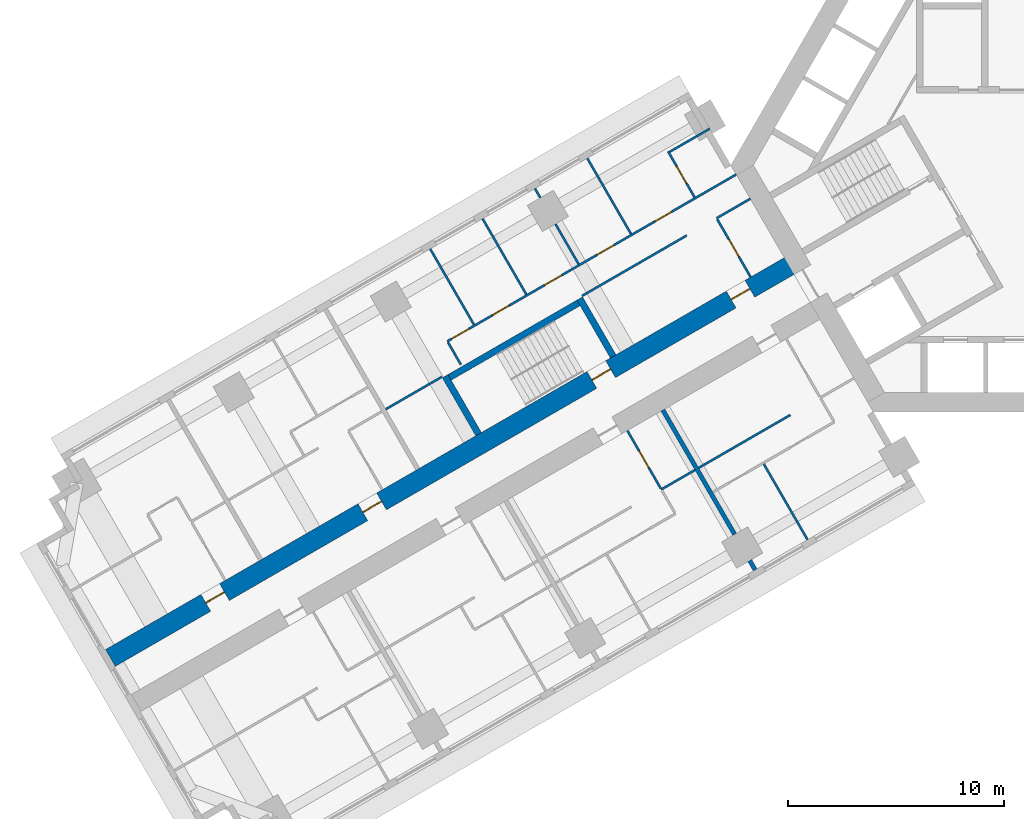
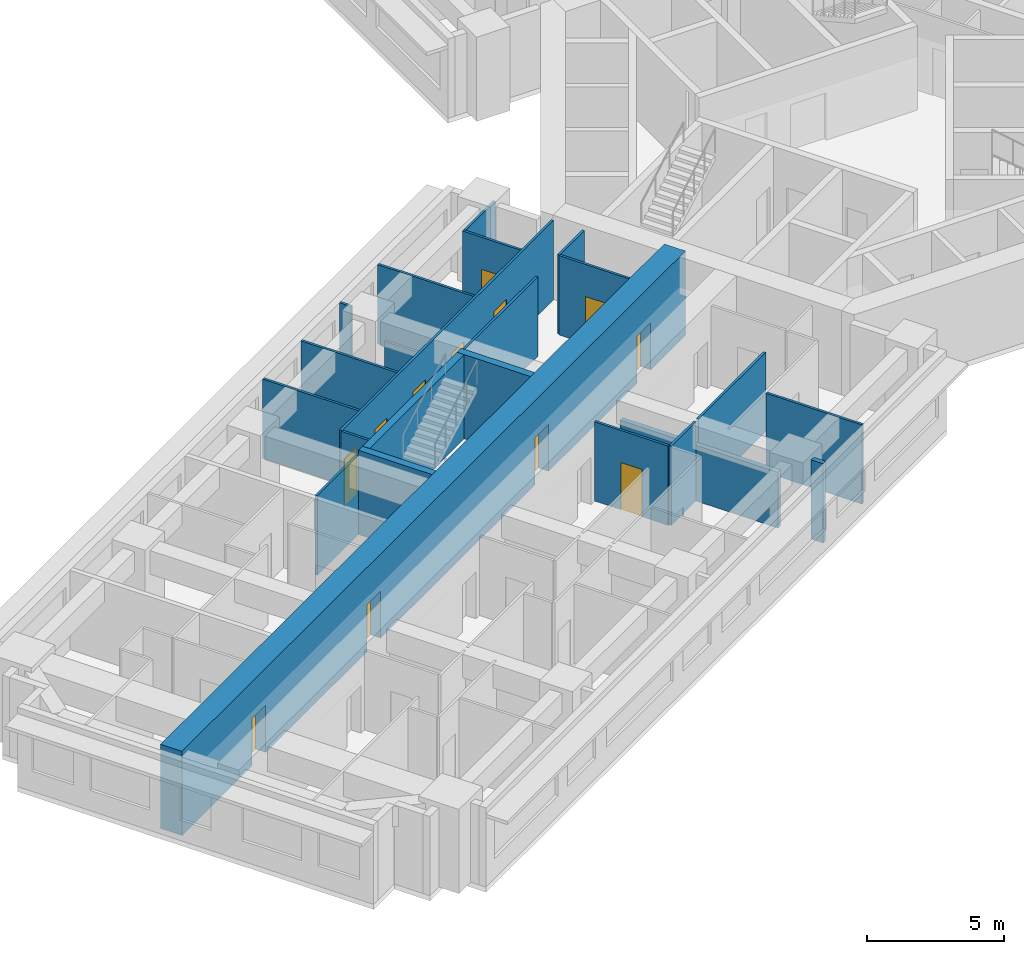
# One storey, part 5 of 15: 23 walls, 12 doors, 12 openings.
"""IFC4 building model written with IfcOpenShell, lengths in metres."""

import ifcopenshell
import ifcopenshell.guid

model = None  # the IFC model being written
_history = None  # IfcOwnerHistory: only IFC2X3 demands one
_inside = {}  # id of a spatial element -> (the spatial element, [elements in it])
_under = {}  # id of a project, library or spatial element -> (it, [spatial elements below it])
_declared = {}  # id of a project -> (the project, [libraries it declares])
_typed = {}  # id of a type object -> (the type object, [elements of that type])
_made_of = {}  # id of a material, layer set ... -> (it, [elements and type objects made of it])


def new_model(schema):
    """Start an empty IFC model of exactly this schema.

    Asked for "IFC4X3", IfcOpenShell would pick the latest addendum, in which some entities
    have other attributes; the version numbers below select the first issue.
    IFC2X3 requires an IfcOwnerHistory on every rooted entity: one is made here for all.
    """
    global model, _history
    if schema == "IFC4X3":
        model = ifcopenshell.file(schema_version=(4, 3, 0, 0))
    else:
        model = ifcopenshell.file(schema=schema)
    _inside.clear()
    _under.clear()
    _declared.clear()
    _typed.clear()
    _made_of.clear()
    _history = None
    if model.schema == "IFC2X3":
        org = make("IfcOrganization", Name="unknown")
        user = make(
            "IfcPersonAndOrganization",
            ThePerson=make("IfcPerson", FamilyName="unknown"),
            TheOrganization=org,
        )
        app = make(
            "IfcApplication",
            ApplicationDeveloper=org,
            Version="unknown",
            ApplicationFullName="unknown",
            ApplicationIdentifier="unknown",
        )
        _history = make(
            "IfcOwnerHistory",
            OwningUser=user,
            OwningApplication=app,
            ChangeAction="ADDED",
            CreationDate=0,
        )
    return model


def make(cls, **values):
    """One entity of the class cls with the attributes given. An attribute that is None is left unset."""
    return model.create_entity(
        cls, **{name: value for name, value in values.items() if value is not None}
    )


def rooted(cls, **values):
    """An entity with a GlobalId (a new one), such as an element, a storey or a relation."""
    return make(cls, GlobalId=ifcopenshell.guid.new(), OwnerHistory=_history, **values)


def si_unit(unit_type, name, prefix=None):
    """IfcSIUnit, for example si_unit("LENGTHUNIT", "METRE", prefix="MILLI")."""
    return make("IfcSIUnit", UnitType=unit_type, Prefix=prefix, Name=name)


def assignment(units):
    """IfcUnitAssignment: the units of a project."""
    return None if units is None else make("IfcUnitAssignment", Units=units)


def point(xyz):
    """IfcCartesianPoint."""
    return None if xyz is None else make("IfcCartesianPoint", Coordinates=xyz)


def direction(xyz):
    """IfcDirection."""
    return None if xyz is None else make("IfcDirection", DirectionRatios=xyz)


def frame(location, z_axis=None, x_axis=None):
    """IfcAxis2Placement3D, a coordinate frame: its origin and axes. An axis left out is left unset."""
    return make(
        "IfcAxis2Placement3D",
        Location=point(location),
        Axis=direction(z_axis),
        RefDirection=direction(x_axis),
    )


def frame_2d(location, x_axis=None):
    """IfcAxis2Placement2D, a coordinate frame in the plane: its origin and x axis."""
    return make(
        "IfcAxis2Placement2D", Location=point(location), RefDirection=direction(x_axis)
    )


def origin():
    """The frame at (0, 0, 0) with its axes left unset."""
    return frame((0.0, 0.0, 0.0))


def place(relative_to, where):
    """IfcLocalPlacement: puts the frame where relative to a parent placement (None: the world)."""
    return make(
        "IfcLocalPlacement", PlacementRelTo=relative_to, RelativePlacement=where
    )


def context(
    kind, dimensions, precision=None, world=None, true_north=None, identifier=None
):
    """IfcGeometricRepresentationContext, for example the 3D "Model" context."""
    return make(
        "IfcGeometricRepresentationContext",
        ContextIdentifier=identifier,
        ContextType=kind,
        CoordinateSpaceDimension=dimensions,
        Precision=precision,
        WorldCoordinateSystem=world,
        TrueNorth=true_north,
    )


def subcontext(parent, identifier, kind, view, scale=None):
    """IfcGeometricRepresentationSubContext, for example "Body" below "Model"."""
    return make(
        "IfcGeometricRepresentationSubContext",
        ContextIdentifier=identifier,
        ContextType=kind,
        ParentContext=parent,
        TargetScale=scale,
        TargetView=view,
    )


def project(units=None, contexts=None):
    """IfcProject with its units and contexts."""
    return rooted(
        "IfcProject",
        Name="project",
        RepresentationContexts=contexts,
        UnitsInContext=assignment(units),
    )


def spatial(cls, under=None, at=None, **own):
    """A site, building, storey or space (cls), placed at a placement, below another one or the project."""
    s = rooted(cls, ObjectPlacement=at, **own)
    if under is not None:
        _under.setdefault(under.id(), (under, []))[1].append(s)
    return s


def profile(cls, at=None, kind="AREA", **sizes):
    """A parametric profile (cls). Its sizes go by their IFC names, for example OverallWidth=200.0."""
    return make(cls, ProfileType=kind, Position=at, **sizes)


def rectangle(**sizes):
    """IfcRectangleProfileDef."""
    return profile("IfcRectangleProfileDef", **sizes)


def extrude(swept, where, along, depth):
    """IfcExtrudedAreaSolid: the profile swept, set in the frame where, extruded along a direction by depth."""
    return make(
        "IfcExtrudedAreaSolid",
        SweptArea=swept,
        Position=where,
        ExtrudedDirection=direction(along),
        Depth=depth,
    )


def shape(context_of_items, identifier, shape_type, items):
    """IfcShapeRepresentation: the items that make up one representation, for example the "Body"."""
    return make(
        "IfcShapeRepresentation",
        ContextOfItems=context_of_items,
        RepresentationIdentifier=identifier,
        RepresentationType=shape_type,
        Items=items,
    )


def material(Name=None, Category=None):
    """IfcMaterial."""
    return make("IfcMaterial", Name=Name, Category=Category)


def layer(
    of_material, thickness, ventilated=None, Name=None, Category=None, Priority=None
):
    """IfcMaterialLayer: one layer of a wall or slab, of a material (None: an air gap)."""
    return make(
        "IfcMaterialLayer",
        Material=of_material,
        LayerThickness=thickness,
        IsVentilated=ventilated,
        Name=Name,
        Category=Category,
        Priority=Priority,
    )


def layer_set(layers, Name=None):
    """IfcMaterialLayerSet."""
    return make("IfcMaterialLayerSet", MaterialLayers=layers, LayerSetName=Name)


def made_of(thing, what):
    """Note that an element or type object is made of a material, layer set ...; save() writes the relation."""
    if what is not None:
        _made_of.setdefault(what.id(), (what, []))[1].append(thing)
    return thing


def type_object(cls, material=None, **own):
    """A type object (cls), such as IfcWallType, which elements share."""
    return made_of(rooted(cls, **own), material)


def element(
    cls,
    number,
    at=None,
    inside=None,
    cuts=None,
    type_object=None,
    material=None,
    context=None,
    identifier="Body",
    shape_type=None,
    held_by="IfcProductDefinitionShape",
    body=None,
    shapes=None,
    **own,
):
    """One element of the class cls, such as IfcWall. Its Tag is "e" and its number.

    at: its placement. inside: the storey or other place that contains it. cuts: it is an
    opening in that element (IfcRelVoidsElement). A single representation is given by context,
    identifier, shape_type and body (its items); several are given by shapes. held_by: the class
    of the entity that holds the representations. save() writes the other relations.
    """
    e = rooted(cls, Tag="e%d" % number, ObjectPlacement=at, **own)
    if body is not None:
        shapes = [shape(context, identifier, shape_type, body)]
    if shapes is not None:
        e.Representation = make(held_by, Representations=shapes)
    if inside is not None:
        _inside.setdefault(inside.id(), (inside, []))[1].append(e)
    if cuts is not None:
        rooted(
            "IfcRelVoidsElement", RelatingBuildingElement=cuts, RelatedOpeningElement=e
        )
    if type_object is not None:
        _typed.setdefault(type_object.id(), (type_object, []))[1].append(e)
    return made_of(e, material)


def fill(opening, filler):
    """IfcRelFillsElement: the door or window that sits in an opening."""
    return rooted(
        "IfcRelFillsElement",
        RelatingOpeningElement=opening,
        RelatedBuildingElement=filler,
    )


def aggregate(whole, parts):
    """IfcRelAggregates: a whole, such as a stair, and the parts it consists of."""
    return rooted("IfcRelAggregates", RelatingObject=whole, RelatedObjects=parts)


def save(model, path):
    """Write the relations noted so far, then the file.

    IfcRelAggregates (storeys below a building ...), IfcRelContainedInSpatialStructure (elements
    in a storey), IfcRelDefinesByType, IfcRelAssociatesMaterial and IfcRelDeclares: one each for
    every whole, place, type object, material and project.
    """
    for whole, parts in _under.values():
        aggregate(whole, parts)
    for where, things in _inside.values():
        rooted(
            "IfcRelContainedInSpatialStructure",
            RelatedElements=things,
            RelatingStructure=where,
        )
    for kind, things in _typed.values():
        rooted("IfcRelDefinesByType", RelatedObjects=things, RelatingType=kind)
    for what, things in _made_of.values():
        rooted("IfcRelAssociatesMaterial", RelatedObjects=things, RelatingMaterial=what)
    for by, libraries in _declared.values():
        rooted("IfcRelDeclares", RelatingContext=by, RelatedDefinitions=libraries)
    model.write(path)


model = new_model("IFC4")

# Units and contexts
model_context = context("Model", 3, precision=1e-05, world=origin(), true_north=direction((0.0, 1.0)))
body_context = subcontext(model_context, "Body", "Model", "MODEL_VIEW")
ifc_project = project(units=[si_unit("LENGTHUNIT", "METRE"), si_unit("AREAUNIT", "SQUARE_METRE"), si_unit("VOLUMEUNIT", "CUBIC_METRE"), si_unit("PLANEANGLEUNIT", "RADIAN"), si_unit("MASSUNIT", "GRAM", prefix="KILO")], contexts=[model_context])

# Site, building, storey
site_placement = place(None, origin())
site = spatial("IfcSite", under=ifc_project, at=site_placement, CompositionType="ELEMENT")
building_placement = place(site_placement, origin())
building = spatial("IfcBuilding", under=site, at=building_placement, Name="Impinga Residences", CompositionType="ELEMENT")
storey_placement = place(building_placement, frame((0.0, 0.0, 86.0)))
storey = spatial("IfcBuildingStorey", under=building, at=storey_placement, Name="L21", CompositionType="ELEMENT", Elevation=86.0)

# Wall, openings, doors
ifc_material_1 = material(Name="Concrete C70/85", Category="concrete")
ifc_layer_1 = layer(ifc_material_1, 0.89990234375)
ifc_layer_set_1 = layer_set([ifc_layer_1], Name="Concrete C70/85")
wall_type_1 = type_object("IfcWallType", Name="BW1 corridor buttress wall, L05 to L22 900", PredefinedType="SHEAR", material=ifc_layer_set_1)
wall_1_placement = place(storey_placement, frame((-10.1103515625, -4.451416015625, 0.0), z_axis=(0.0, 0.0, 1.0), x_axis=(-0.866025284237, -0.500000207062, 0.0)))
wall_1 = element("IfcWall", 1, at=wall_1_placement, inside=storey, type_object=wall_type_1, Name="Corridor wall BW1 WD L21", PredefinedType="SHEAR", context=body_context, shape_type="SweptSolid", body=[
    extrude(rectangle(XDim=36.75, YDim=0.89990234375, at=frame_2d((18.375, 0.0))), origin(), (0.0, 0.0, 1.0), 3.75),
])
opening_1_placement = place(wall_1_placement, frame((10.0, 0.0, 0.0)))
opening_1 = element("IfcOpeningElement", 2, at=opening_1_placement, cuts=wall_1, Name="Opening D5", PredefinedType="OPENING", context=body_context, shape_type="SweptSolid", body=[
    extrude(rectangle(XDim=1.0, YDim=2.10009765625, at=frame_2d((0.5, 1.050048828125))), frame((0.0, 0.4599609375, 0.0), z_axis=(0.0, -1.0, 0.0), x_axis=(1.0, 0.0, 0.0)), (0.0, 0.0, 1.0), 0.919921875),
])
opening_2_placement = place(wall_1_placement, frame((2.550048828125, 0.0, 0.0)))
opening_2 = element("IfcOpeningElement", 3, at=opening_2_placement, cuts=wall_1, Name="Opening D1", PredefinedType="OPENING", context=body_context, shape_type="SweptSolid", body=[
    extrude(rectangle(XDim=1.0, YDim=2.10009765625, at=frame_2d((0.5, 1.050048828125))), frame((0.0, 0.4599609375, 0.0), z_axis=(0.0, -1.0, 0.0), x_axis=(1.0, 0.0, 0.0)), (0.0, 0.0, 1.0), 0.919921875),
])
opening_3_placement = place(wall_1_placement, frame((22.25, 0.0, 0.0)))
opening_3 = element("IfcOpeningElement", 4, at=opening_3_placement, cuts=wall_1, Name="Opening D1", PredefinedType="OPENING", context=body_context, shape_type="SweptSolid", body=[
    extrude(rectangle(XDim=1.0, YDim=2.10009765625, at=frame_2d((0.5, 1.050048828125))), frame((0.0, 0.4599609375, 0.0), z_axis=(0.0, -1.0, 0.0), x_axis=(1.0, 0.0, 0.0)), (0.0, 0.0, 1.0), 0.919921875),
])
opening_4_placement = place(wall_1_placement, frame((30.64990234375, 0.0, 0.0)))
opening_4 = element("IfcOpeningElement", 5, at=opening_4_placement, cuts=wall_1, Name="Opening D1", PredefinedType="OPENING", context=body_context, shape_type="SweptSolid", body=[
    extrude(rectangle(XDim=1.0, YDim=2.10009765625, at=frame_2d((0.5, 1.050048828125))), frame((0.0, 0.4599609375, 0.0), z_axis=(0.0, -1.0, 0.0), x_axis=(1.0, 0.0, 0.0)), (0.0, 0.0, 1.0), 0.919921875),
])
ifc_material_2 = material(Name="Timber door set", Category="wood")
door_type_1 = type_object("IfcDoorType", Name="D1 apartment entrance door 1000x2100", OperationType="SINGLE_SWING_LEFT", PredefinedType="DOOR", material=ifc_material_2)
door_1_placement = place(opening_2_placement, origin())
door_1 = element("IfcDoor", 6, at=door_1_placement, inside=storey, type_object=door_type_1, Name="Apartment L21-WF1 entrance", OperationType="SINGLE_SWING_LEFT", OverallHeight=2.10009765625, OverallWidth=1.0, PredefinedType="DOOR", context=body_context, shape_type="SweptSolid", body=[
    extrude(rectangle(XDim=1.0, YDim=2.10009765625, at=frame_2d((0.5, 1.050048828125))), frame((0.0, 0.02490234375, 0.0), z_axis=(0.0, -1.0, 0.0), x_axis=(1.0, 0.0, 0.0)), (0.0, 0.0, 1.0), 0.050048828125),
])
fill(opening_2, door_1)
door_2_placement = place(opening_3_placement, origin())
door_2 = element("IfcDoor", 7, at=door_2_placement, inside=storey, type_object=door_type_1, Name="Apartment L21-WF2 entrance", OperationType="SINGLE_SWING_RIGHT", OverallHeight=2.10009765625, OverallWidth=1.0, PredefinedType="DOOR", context=body_context, shape_type="SweptSolid", body=[
    extrude(rectangle(XDim=1.0, YDim=2.10009765625, at=frame_2d((0.5, 1.050048828125))), frame((0.0, 0.02490234375, 0.0), z_axis=(0.0, -1.0, 0.0), x_axis=(1.0, 0.0, 0.0)), (0.0, 0.0, 1.0), 0.050048828125),
])
fill(opening_3, door_2)
door_3_placement = place(opening_4_placement, origin())
door_3 = element("IfcDoor", 8, at=door_3_placement, inside=storey, type_object=door_type_1, Name="Apartment L21-WF3 entrance", OperationType="SINGLE_SWING_RIGHT", OverallHeight=2.10009765625, OverallWidth=1.0, PredefinedType="DOOR", context=body_context, shape_type="SweptSolid", body=[
    extrude(rectangle(XDim=1.0, YDim=2.10009765625, at=frame_2d((0.5, 1.050048828125))), frame((0.0, 0.02490234375, 0.0), z_axis=(0.0, -1.0, 0.0), x_axis=(1.0, 0.0, 0.0)), (0.0, 0.0, 1.0), 0.050048828125),
])
fill(opening_4, door_3)
door_type_2 = type_object("IfcDoorType", Name="D5 stair door 1000x2100", OperationType="SINGLE_SWING_LEFT", PredefinedType="DOOR", material=ifc_material_2)
door_4_placement = place(opening_1_placement, origin())
door_4 = element("IfcDoor", 9, at=door_4_placement, inside=storey, type_object=door_type_2, Name="Wing stair door W", OperationType="SINGLE_SWING_LEFT", OverallHeight=2.10009765625, OverallWidth=1.0, PredefinedType="DOOR", context=body_context, shape_type="SweptSolid", body=[
    extrude(rectangle(XDim=1.0, YDim=2.10009765625, at=frame_2d((0.5, 1.050048828125))), frame((0.0, 0.02490234375, 0.0), z_axis=(0.0, -1.0, 0.0), x_axis=(1.0, 0.0, 0.0)), (0.0, 0.0, 1.0), 0.050048828125),
])
fill(opening_1, door_4)

# Walls
ifc_material_3 = material(Name="Gypsum board on steel studs", Category="steel")
ifc_layer_2 = layer(ifc_material_3, 0.10009765625)
ifc_layer_set_2 = layer_set([ifc_layer_2], Name="Gypsum board on steel studs")
wall_type_2 = type_object("IfcWallType", Name="IP1 partition 100", PredefinedType="PARTITIONING", material=ifc_layer_set_2)
wall_2_placement = place(storey_placement, frame((-10.444580078125, -11.57275390625, 0.0), z_axis=(0.0, 0.0, 1.0), x_axis=(-0.866023786258, -0.500002801628, 0.0)))
element("IfcWall", 10, at=wall_2_placement, inside=storey, type_object=wall_type_2, Name="Partition L21-WA1:DIV1", PredefinedType="PARTITIONING", context=body_context, shape_type="SweptSolid", body=[
    extrude(rectangle(XDim=4.89990234375, YDim=0.10009765625, at=frame_2d((2.449951171875, 0.0))), origin(), (0.0, 0.0, 1.0), 3.530029296875),
])
wall_3_placement = place(storey_placement, frame((-11.6748046875, -13.841796875, 0.0), z_axis=(0.0, 0.0, 1.0), x_axis=(0.500035537042, -0.866004885491, 0.0)))
element("IfcWall", 11, at=wall_3_placement, inside=storey, type_object=wall_type_2, Name="Partition L21-WA1:OB1", PredefinedType="PARTITIONING", context=body_context, shape_type="SweptSolid", body=[
    extrude(rectangle(XDim=4.050048828125, YDim=0.10009765625, at=frame_2d((2.02490234375, 0.0))), origin(), (0.0, 0.0, 1.0), 3.530029296875),
])
wall_4_placement = place(storey_placement, frame((-14.861328125, -14.122802734375, 0.0), z_axis=(0.0, 0.0, 1.0), x_axis=(-0.866047807691, -0.499961193289, 0.0)))
element("IfcWall", 12, at=wall_4_placement, inside=storey, type_object=wall_type_2, Name="Partition L21-WA2:DIV0", PredefinedType="PARTITIONING", context=body_context, shape_type="SweptSolid", body=[
    extrude(rectangle(XDim=1.800048828125, YDim=0.10009765625, at=frame_2d((0.89990234375, 0.0))), origin(), (0.0, 0.0, 1.0), 3.530029296875),
])

# Wall, opening, door
wall_5_placement = place(storey_placement, frame((-17.9951171875, -12.294677734375, 0.0), z_axis=(0.0, 0.0, 1.0), x_axis=(0.49999285859, -0.86602952684, 0.0)))
wall_5 = element("IfcWall", 13, at=wall_5_placement, inside=storey, type_object=wall_type_2, Name="Partition L21-WA2:IB1", PredefinedType="PARTITIONING", context=body_context, shape_type="SweptSolid", body=[
    extrude(rectangle(XDim=3.10009765625, YDim=0.10009765625, at=frame_2d((1.550048828125, 0.0))), origin(), (0.0, 0.0, 1.0), 3.530029296875),
])
opening_5_placement = place(wall_5_placement, frame((1.10009765625, 0.0, 0.0)))
opening_5 = element("IfcOpeningElement", 14, at=opening_5_placement, cuts=wall_5, Name="Opening D2", PredefinedType="OPENING", context=body_context, shape_type="SweptSolid", body=[
    extrude(rectangle(XDim=0.89990234375, YDim=2.10009765625, at=frame_2d((0.449951171875, 1.050048828125))), frame((0.0, 0.06005859375, 0.0), z_axis=(0.0, -1.0, 0.0), x_axis=(1.0, 0.0, 0.0)), (0.0, 0.0, 1.0), 0.1201171875),
])
door_type_3 = type_object("IfcDoorType", Name="D2 internal door 900x2100", OperationType="SINGLE_SWING_LEFT", PredefinedType="DOOR", material=ifc_material_2)
door_5_placement = place(opening_5_placement, origin())
door_5 = element("IfcDoor", 15, at=door_5_placement, inside=storey, type_object=door_type_3, Name="Apartment L21-WA2 bathroom door", OperationType="SINGLE_SWING_LEFT", OverallHeight=2.10009765625, OverallWidth=0.89990234375, PredefinedType="DOOR", context=body_context, shape_type="SweptSolid", body=[
    extrude(rectangle(XDim=0.89990234375, YDim=2.10009765625, at=frame_2d((0.449951171875, 1.050048828125))), frame((0.0, 0.02490234375, 0.0), z_axis=(0.0, -1.0, 0.0), x_axis=(1.0, 0.0, 0.0)), (0.0, 0.0, 1.0), 0.050048828125),
])
fill(opening_5, door_5)

# Walls
wall_6_placement = place(storey_placement, frame((-12.300048828125, -1.558837890625, 0.0), z_axis=(0.0, 0.0, 1.0), x_axis=(-0.866047807691, -0.499961193289, 0.0)))
element("IfcWall", 16, at=wall_6_placement, inside=storey, type_object=wall_type_2, Name="Partition L21-WF1:DIV0", PredefinedType="PARTITIONING", context=body_context, shape_type="SweptSolid", body=[
    extrude(rectangle(XDim=1.800048828125, YDim=0.10009765625, at=frame_2d((0.89990234375, 0.0))), origin(), (0.0, 0.0, 1.0), 3.530029296875),
])
wall_7_placement = place(storey_placement, frame((-15.244384765625, -3.2587890625, 0.0), z_axis=(0.0, 0.0, 1.0), x_axis=(-0.866026594901, -0.49999793692, 0.0)))
element("IfcWall", 17, at=wall_7_placement, inside=storey, type_object=wall_type_2, Name="Partition L21-WF1:DIV1", PredefinedType="PARTITIONING", context=body_context, shape_type="SweptSolid", body=[
    extrude(rectangle(XDim=5.60009765625, YDim=0.10009765625, at=frame_2d((2.800048828125, 0.0))), origin(), (0.0, 0.0, 1.0), 3.530029296875),
])
wall_8_placement = place(storey_placement, frame((-26.58935546875, -9.808837890625, 0.0), z_axis=(0.0, 0.0, 1.0), x_axis=(-0.866031096941, -0.499990139034, 0.0)))
element("IfcWall", 18, at=wall_8_placement, inside=storey, type_object=wall_type_2, Name="Partition L21-WF1:DIV2", PredefinedType="PARTITIONING", context=body_context, shape_type="SweptSolid", body=[
    extrude(rectangle(XDim=3.0, YDim=0.10009765625, at=frame_2d((1.5, 0.0))), origin(), (0.0, 0.0, 1.0), 3.530029296875),
])

# Wall, openings, doors
wall_9_placement = place(storey_placement, frame((-12.949951171875, -0.43310546875, 0.0), z_axis=(0.0, 0.0, 1.0), x_axis=(-0.866030066916, -0.499991923133, 0.0)))
wall_9 = element("IfcWall", 19, at=wall_9_placement, inside=storey, type_object=wall_type_2, Name="Partition L21-WF1:STRIP", PredefinedType="PARTITIONING", context=body_context, shape_type="SweptSolid", body=[
    extrude(rectangle(XDim=15.449951171875, YDim=0.10009765625, at=frame_2d((7.72509765625, 0.0))), origin(), (0.0, 0.0, 1.0), 3.530029296875),
])
opening_6_placement = place(wall_9_placement, frame((3.449951171875, 0.0, 0.0)))
opening_6 = element("IfcOpeningElement", 20, at=opening_6_placement, cuts=wall_9, Name="Opening D2", PredefinedType="OPENING", context=body_context, shape_type="SweptSolid", body=[
    extrude(rectangle(XDim=0.89990234375, YDim=2.10009765625, at=frame_2d((0.449951171875, 1.050048828125))), frame((0.0, 0.06005859375, 0.0), z_axis=(0.0, -1.0, 0.0), x_axis=(1.0, 0.0, 0.0)), (0.0, 0.0, 1.0), 0.1201171875),
])
opening_7_placement = place(wall_9_placement, frame((6.550048828125, 0.0, 0.0)))
opening_7 = element("IfcOpeningElement", 21, at=opening_7_placement, cuts=wall_9, Name="Opening D2", PredefinedType="OPENING", context=body_context, shape_type="SweptSolid", body=[
    extrude(rectangle(XDim=0.89990234375, YDim=2.10009765625, at=frame_2d((0.449951171875, 1.050048828125))), frame((0.0, 0.06005859375, 0.0), z_axis=(0.0, -1.0, 0.0), x_axis=(1.0, 0.0, 0.0)), (0.0, 0.0, 1.0), 0.1201171875),
])
opening_8_placement = place(wall_9_placement, frame((9.35009765625, 0.0, 0.0)))
opening_8 = element("IfcOpeningElement", 22, at=opening_8_placement, cuts=wall_9, Name="Opening D2", PredefinedType="OPENING", context=body_context, shape_type="SweptSolid", body=[
    extrude(rectangle(XDim=0.89990234375, YDim=2.10009765625, at=frame_2d((0.449951171875, 1.050048828125))), frame((0.0, 0.06005859375, 0.0), z_axis=(0.0, -1.0, 0.0), x_axis=(1.0, 0.0, 0.0)), (0.0, 0.0, 1.0), 0.1201171875),
])
opening_9_placement = place(wall_9_placement, frame((12.14990234375, 0.0, 0.0)))
opening_9 = element("IfcOpeningElement", 23, at=opening_9_placement, cuts=wall_9, Name="Opening D2", PredefinedType="OPENING", context=body_context, shape_type="SweptSolid", body=[
    extrude(rectangle(XDim=0.89990234375, YDim=2.10009765625, at=frame_2d((0.449951171875, 1.050048828125))), frame((0.0, 0.06005859375, 0.0), z_axis=(0.0, -1.0, 0.0), x_axis=(1.0, 0.0, 0.0)), (0.0, 0.0, 1.0), 0.1201171875),
])
opening_10_placement = place(wall_9_placement, frame((14.300048828125, 0.0, 0.0)))
opening_10 = element("IfcOpeningElement", 24, at=opening_10_placement, cuts=wall_9, Name="Opening D2", PredefinedType="OPENING", context=body_context, shape_type="SweptSolid", body=[
    extrude(rectangle(XDim=0.89990234375, YDim=2.10009765625, at=frame_2d((0.449951171875, 1.050048828125))), frame((0.0, 0.06005859375, 0.0), z_axis=(0.0, -1.0, 0.0), x_axis=(1.0, 0.0, 0.0)), (0.0, 0.0, 1.0), 0.1201171875),
])
door_6_placement = place(opening_6_placement, origin())
door_6 = element("IfcDoor", 25, at=door_6_placement, inside=storey, type_object=door_type_3, Name="Apartment L21-WF1 room door", OperationType="SINGLE_SWING_LEFT", OverallHeight=2.10009765625, OverallWidth=0.89990234375, PredefinedType="DOOR", context=body_context, shape_type="SweptSolid", body=[
    extrude(rectangle(XDim=0.89990234375, YDim=2.10009765625, at=frame_2d((0.449951171875, 1.050048828125))), frame((0.0, 0.02490234375, 0.0), z_axis=(0.0, -1.0, 0.0), x_axis=(1.0, 0.0, 0.0)), (0.0, 0.0, 1.0), 0.050048828125),
])
fill(opening_6, door_6)
door_7_placement = place(opening_7_placement, origin())
door_7 = element("IfcDoor", 26, at=door_7_placement, inside=storey, type_object=door_type_3, Name="Apartment L21-WF1 room door", OperationType="SINGLE_SWING_LEFT", OverallHeight=2.10009765625, OverallWidth=0.89990234375, PredefinedType="DOOR", context=body_context, shape_type="SweptSolid", body=[
    extrude(rectangle(XDim=0.89990234375, YDim=2.10009765625, at=frame_2d((0.449951171875, 1.050048828125))), frame((0.0, 0.02490234375, 0.0), z_axis=(0.0, -1.0, 0.0), x_axis=(1.0, 0.0, 0.0)), (0.0, 0.0, 1.0), 0.050048828125),
])
fill(opening_7, door_7)
door_8_placement = place(opening_8_placement, origin())
door_8 = element("IfcDoor", 27, at=door_8_placement, inside=storey, type_object=door_type_3, Name="Apartment L21-WF1 room door", OperationType="SINGLE_SWING_RIGHT", OverallHeight=2.10009765625, OverallWidth=0.89990234375, PredefinedType="DOOR", context=body_context, shape_type="SweptSolid", body=[
    extrude(rectangle(XDim=0.89990234375, YDim=2.10009765625, at=frame_2d((0.449951171875, 1.050048828125))), frame((0.0, 0.02490234375, 0.0), z_axis=(0.0, -1.0, 0.0), x_axis=(1.0, 0.0, 0.0)), (0.0, 0.0, 1.0), 0.050048828125),
])
fill(opening_8, door_8)
door_9_placement = place(opening_9_placement, origin())
door_9 = element("IfcDoor", 28, at=door_9_placement, inside=storey, type_object=door_type_3, Name="Apartment L21-WF1 room door", OperationType="SINGLE_SWING_RIGHT", OverallHeight=2.10009765625, OverallWidth=0.89990234375, PredefinedType="DOOR", context=body_context, shape_type="SweptSolid", body=[
    extrude(rectangle(XDim=0.89990234375, YDim=2.10009765625, at=frame_2d((0.449951171875, 1.050048828125))), frame((0.0, 0.02490234375, 0.0), z_axis=(0.0, -1.0, 0.0), x_axis=(1.0, 0.0, 0.0)), (0.0, 0.0, 1.0), 0.050048828125),
])
fill(opening_9, door_9)
door_10_placement = place(opening_10_placement, origin())
door_10 = element("IfcDoor", 29, at=door_10_placement, inside=storey, type_object=door_type_3, Name="Apartment L21-WF1 room door", OperationType="SINGLE_SWING_RIGHT", OverallHeight=2.10009765625, OverallWidth=0.89990234375, PredefinedType="DOOR", context=body_context, shape_type="SweptSolid", body=[
    extrude(rectangle(XDim=0.89990234375, YDim=2.10009765625, at=frame_2d((0.449951171875, 1.050048828125))), frame((0.0, 0.02490234375, 0.0), z_axis=(0.0, -1.0, 0.0), x_axis=(1.0, 0.0, 0.0)), (0.0, 0.0, 1.0), 0.050048828125),
])
fill(opening_10, door_10)

# Wall
wall_10_placement = place(storey_placement, frame((-25.705078125, -9.240478515625, 0.0), z_axis=(0.0, 0.0, 1.0), x_axis=(-0.50012165622, 0.865955154139, 0.0)))
element("IfcWall", 30, at=wall_10_placement, inside=storey, type_object=wall_type_2, Name="Partition L21-WF1:SE1", PredefinedType="PARTITIONING", context=body_context, shape_type="SweptSolid", body=[
    extrude(rectangle(XDim=1.199951171875, YDim=0.10009765625, at=frame_2d((0.60009765625, 0.0))), origin(), (0.0, 0.0, 1.0), 3.530029296875),
])

# Wall, opening, door
wall_11_placement = place(storey_placement, frame((-12.283935546875, -5.186767578125, 0.0), z_axis=(0.0, 0.0, 1.0), x_axis=(-0.499967891604, 0.866043940782, 0.0)))
wall_11 = element("IfcWall", 31, at=wall_11_placement, inside=storey, type_object=wall_type_2, Name="Partition L21-WF1:IB1", PredefinedType="PARTITIONING", context=body_context, shape_type="SweptSolid", body=[
    extrude(rectangle(XDim=3.099853515625, YDim=0.10009765625, at=frame_2d((1.5498046875, 0.0))), origin(), (0.0, 0.0, 1.0), 3.530029296875),
])
opening_11_placement = place(wall_11_placement, frame((1.10009765625, 0.0, 0.0)))
opening_11 = element("IfcOpeningElement", 32, at=opening_11_placement, cuts=wall_11, Name="Opening D2", PredefinedType="OPENING", context=body_context, shape_type="SweptSolid", body=[
    extrude(rectangle(XDim=0.89990234375, YDim=2.10009765625, at=frame_2d((0.449951171875, 1.050048828125))), frame((0.0, 0.06005859375, 0.0), z_axis=(0.0, -1.0, 0.0), x_axis=(1.0, 0.0, 0.0)), (0.0, 0.0, 1.0), 0.1201171875),
])
door_11_placement = place(opening_11_placement, origin())
door_11 = element("IfcDoor", 33, at=door_11_placement, inside=storey, type_object=door_type_3, Name="Apartment L21-WF1 bathroom door", OperationType="SINGLE_SWING_LEFT", OverallHeight=2.10009765625, OverallWidth=0.89990234375, PredefinedType="DOOR", context=body_context, shape_type="SweptSolid", body=[
    extrude(rectangle(XDim=0.89990234375, YDim=2.10009765625, at=frame_2d((0.449951171875, 1.050048828125))), frame((0.0, 0.02490234375, 0.0), z_axis=(0.0, -1.0, 0.0), x_axis=(1.0, 0.0, 0.0)), (0.0, 0.0, 1.0), 0.050048828125),
])
fill(opening_11, door_11)

# Walls
wall_12_placement = place(storey_placement, frame((-17.82470703125, -3.189697265625, 0.0), z_axis=(0.0, 0.0, 1.0), x_axis=(-0.500035537042, 0.866004885491, 0.0)))
element("IfcWall", 34, at=wall_12_placement, inside=storey, type_object=wall_type_2, Name="Partition L21-WF1:OB1", PredefinedType="PARTITIONING", context=body_context, shape_type="SweptSolid", body=[
    extrude(rectangle(XDim=4.050048828125, YDim=0.10009765625, at=frame_2d((2.02490234375, 0.0))), origin(), (0.0, 0.0, 1.0), 3.530029296875),
])
wall_13_placement = place(storey_placement, frame((-20.24951171875, -4.589599609375, 0.0), z_axis=(0.0, 0.0, 1.0), x_axis=(-0.500095966228, 0.865969990567, 0.0)))
element("IfcWall", 35, at=wall_13_placement, inside=storey, type_object=wall_type_2, Name="Partition L21-WF1:OB2", PredefinedType="PARTITIONING", context=body_context, shape_type="SweptSolid", body=[
    extrude(rectangle(XDim=2.14990234375, YDim=0.10009765625, at=frame_2d((1.074951171875, 0.0))), origin(), (0.0, 0.0, 1.0), 2.47998046875),
])
wall_14_placement = place(storey_placement, frame((-22.024658203125, -1.515380859375, 0.0), z_axis=(0.0, 0.0, 1.0), x_axis=(-0.499919672301, 0.866071776036, 0.0)))
element("IfcWall", 36, at=wall_14_placement, inside=storey, type_object=wall_type_2, Name="Partition L21-WF1:OB2b", PredefinedType="PARTITIONING", context=body_context, shape_type="SweptSolid", body=[
    extrude(rectangle(XDim=0.5, YDim=0.10009765625, at=frame_2d((0.25, 0.0))), origin(), (0.0, 0.0, 1.0), 3.530029296875),
])
for number, where, z_axis, x_axis, name in (
    (37, (-22.674560546875, -5.98974609375, 0.0), (0.0, 0.0, 1.0), (-0.499990325971, 0.866030989016, 0.0), "Partition L21-WF1:OB3"),
    (38, (-25.099365234375, -7.3896484375, 0.0), (0.0, 0.0, 1.0), (-0.499990325971, 0.866030989016, 0.0), "Partition L21-WF1:OB4"),
):
    element("IfcWall", number, at=place(storey_placement, frame(where, z_axis=z_axis, x_axis=x_axis)), inside=storey, type_object=wall_type_2, Name=name, PredefinedType="PARTITIONING", context=body_context, shape_type="SweptSolid", body=[
        extrude(rectangle(XDim=4.0498046875, YDim=0.10009765625, at=frame_2d((2.02490234375, 0.0))), origin(), (0.0, 0.0, 1.0), 3.530029296875),
    ])

# Wall, opening, door
wall_15_placement = place(storey_placement, frame((-14.88037109375, -1.48974609375, 0.0), z_axis=(0.0, 0.0, 1.0), x_axis=(-0.499943856944, 0.866057815567, 0.0)))
wall_15 = element("IfcWall", 39, at=wall_15_placement, inside=storey, type_object=wall_type_2, Name="Partition L21-WF1:EN1", PredefinedType="PARTITIONING", context=body_context, shape_type="SweptSolid", body=[
    extrude(rectangle(XDim=2.449951171875, YDim=0.10009765625, at=frame_2d((1.22509765625, 0.0))), origin(), (0.0, 0.0, 1.0), 3.530029296875),
])
opening_12_placement = place(wall_15_placement, frame((0.75, 0.0, 0.0)))
opening_12 = element("IfcOpeningElement", 40, at=opening_12_placement, cuts=wall_15, Name="Opening D2", PredefinedType="OPENING", context=body_context, shape_type="SweptSolid", body=[
    extrude(rectangle(XDim=0.89990234375, YDim=2.10009765625, at=frame_2d((0.449951171875, 1.050048828125))), frame((0.0, 0.06005859375, 0.0), z_axis=(0.0, -1.0, 0.0), x_axis=(1.0, 0.0, 0.0)), (0.0, 0.0, 1.0), 0.1201171875),
])
door_12_placement = place(opening_12_placement, origin())
door_12 = element("IfcDoor", 41, at=door_12_placement, inside=storey, type_object=door_type_3, Name="Apartment L21-WF1 en-suite door", OperationType="SINGLE_SWING_LEFT", OverallHeight=2.10009765625, OverallWidth=0.89990234375, PredefinedType="DOOR", context=body_context, shape_type="SweptSolid", body=[
    extrude(rectangle(XDim=0.89990234375, YDim=2.10009765625, at=frame_2d((0.449951171875, 1.050048828125))), frame((0.0, 0.02490234375, 0.0), z_axis=(0.0, -1.0, 0.0), x_axis=(1.0, 0.0, 0.0)), (0.0, 0.0, 1.0), 0.050048828125),
])
fill(opening_12, door_12)

# Walls
wall_16_placement = place(storey_placement, frame((-14.175048828125, 1.688720703125, 0.0), z_axis=(0.0, 0.0, 1.0), x_axis=(-0.866019166195, -0.500010803666, 0.0)))
element("IfcWall", 42, at=wall_16_placement, inside=storey, type_object=wall_type_2, Name="Partition L21-WF1:EN2", PredefinedType="PARTITIONING", context=body_context, shape_type="SweptSolid", body=[
    extrude(rectangle(XDim=2.14990234375, YDim=0.10009765625, at=frame_2d((1.074951171875, 0.0))), origin(), (0.0, 0.0, 1.0), 3.530029296875),
])
ifc_material_4 = material(Name="Concrete blockwork", Category="masonry")
ifc_layer_3 = layer(ifc_material_4, 0.199951171875)
ifc_layer_set_3 = layer_set([ifc_layer_3], Name="PW1 party wall between apartments 200")
wall_type_3 = type_object("IfcWallType", Name="PW1 party wall between apartments 200", PredefinedType="SOLIDWALL", material=ifc_layer_set_3)
wall_17_placement = place(storey_placement, frame((-16.349609375, -11.3447265625, 0.0), z_axis=(0.0, 0.0, 1.0), x_axis=(0.49999681972, -0.866027239912, 0.0)))
element("IfcWall", 43, at=wall_17_placement, inside=storey, type_object=wall_type_3, Name="Party wall between apartments L21-WA1:PARTY", PredefinedType="SOLIDWALL", context=body_context, shape_type="SweptSolid", body=[
    extrude(rectangle(XDim=6.64990234375, YDim=0.199951171875, at=frame_2d((3.324951171875, 0.0))), origin(), (0.0, 0.0, 1.0), 2.47998046875),
])
wall_18_placement = place(storey_placement, frame((-12.32470703125, -18.316162109375, 0.0), z_axis=(0.0, 0.0, 1.0), x_axis=(0.499919672301, -0.866071776036, 0.0)))
element("IfcWall", 44, at=wall_18_placement, inside=storey, type_object=wall_type_3, Name="Party wall between apartments L21-WA1:PARTYb", PredefinedType="SOLIDWALL", context=body_context, shape_type="SweptSolid", body=[
    extrude(rectangle(XDim=0.5, YDim=0.199951171875, at=frame_2d((0.25, 0.0))), origin(), (0.0, 0.0, 1.0), 3.530029296875),
])
ifc_material_5 = material(Name="Concrete C60/75", Category="concrete")
ifc_layer_4 = layer(ifc_material_5, 0.300048828125)
ifc_layer_set_4 = layer_set([ifc_layer_4], Name="Concrete C60/75")
wall_type_4 = type_object("IfcWallType", Name="SE1 wing stair enclosure wall 300", PredefinedType="SOLIDWALL", material=ifc_layer_set_4)
wall_19_placement = place(storey_placement, frame((-18.649169921875, -8.86181640625, 0.0), z_axis=(0.0, 0.0, 1.0), x_axis=(-0.500026960575, 0.86600983753, 0.0)))
element("IfcWall", 45, at=wall_19_placement, inside=storey, type_object=wall_type_4, Name="Stair enclosure wall SE1 W END0 L21", PredefinedType="SOLIDWALL", context=body_context, shape_type="SweptSolid", body=[
    extrude(rectangle(XDim=3.099853515625, YDim=0.300048828125, at=frame_2d((1.5498046875, 0.0))), origin(), (0.0, 0.0, 1.0), 3.75),
])
wall_20_placement = place(storey_placement, frame((-24.884521484375, -12.4619140625, 0.0), z_axis=(0.0, 0.0, 1.0), x_axis=(-0.49999285859, 0.86602952684, 0.0)))
element("IfcWall", 46, at=wall_20_placement, inside=storey, type_object=wall_type_4, Name="Stair enclosure wall SE1 W END1 L21", PredefinedType="SOLIDWALL", context=body_context, shape_type="SweptSolid", body=[
    extrude(rectangle(XDim=3.10009765625, YDim=0.300048828125, at=frame_2d((1.550048828125, 0.0))), origin(), (0.0, 0.0, 1.0), 3.75),
])
wall_21_placement = place(storey_placement, frame((-20.254150390625, -6.382080078125, 0.0), z_axis=(0.0, 0.0, 1.0), x_axis=(-0.866020008033, -0.500009345598, 0.0)))
element("IfcWall", 47, at=wall_21_placement, inside=storey, type_object=wall_type_4, Name="Stair enclosure wall SE1 W OUT L21", PredefinedType="SOLIDWALL", context=body_context, shape_type="SweptSolid", body=[
    extrude(rectangle(XDim=6.899658203125, YDim=0.300048828125, at=frame_2d((3.44970703125, 0.0))), origin(), (0.0, 0.0, 1.0), 3.75),
])

save(model, "model.ifc")
